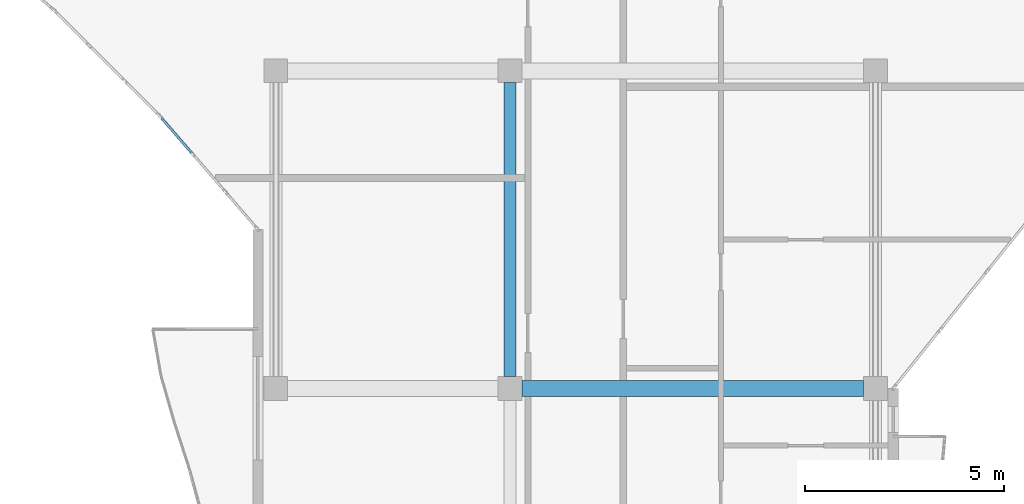
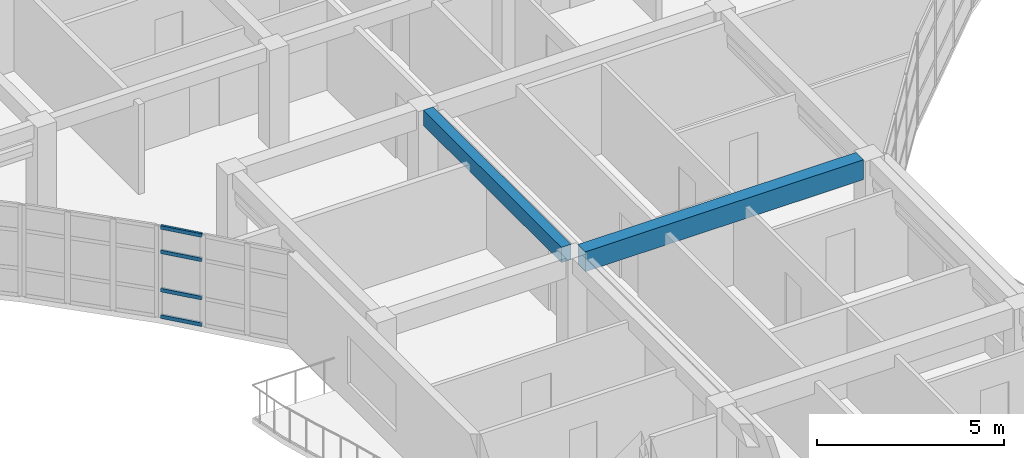
# One storey, part 13 of 76: 4 members, 2 beams, 1 element without a shape of its own.
"""IFC4 building model written with IfcOpenShell, lengths in metres."""

from ifc_helpers import new_model, si_unit, direction, frame, origin, origin_2d, place, context, subcontext, project, spatial, rectangle, hollow_rectangle, extrude, material, layer, layer_set, material_profile, profile_set, type_object, element, aggregate, save


model = new_model("IFC4")

# Units and contexts
model_context = context("Model", 3, precision=1e-05, world=origin(), true_north=direction((0.0, 1.0)))
body_context = subcontext(model_context, "Body", "Model", "MODEL_VIEW")
ifc_project = project(units=[si_unit("LENGTHUNIT", "METRE"), si_unit("AREAUNIT", "SQUARE_METRE"), si_unit("VOLUMEUNIT", "CUBIC_METRE"), si_unit("PLANEANGLEUNIT", "RADIAN"), si_unit("MASSUNIT", "GRAM", prefix="KILO")], contexts=[model_context])

# Site, building, storey
site_placement = place(None, origin())
site = spatial("IfcSite", under=ifc_project, at=site_placement, CompositionType="ELEMENT")
building_placement = place(site_placement, origin())
building = spatial("IfcBuilding", under=site, at=building_placement, Name="Keldmere Railside Commons", CompositionType="ELEMENT")
storey_placement = place(building_placement, frame((0.0, 0.0, 13.760009765625)))
storey = spatial("IfcBuildingStorey", under=building, at=storey_placement, Name="L04", CompositionType="ELEMENT", Elevation=13.760009765625)

# Beams
ifc_material_1 = material(Name="Concrete H-30 (C30/37)", Category="concrete")
ifc_material_profile_1 = material_profile(ifc_material_1, rectangle(XDim=0.39990234375, YDim=0.64990234375, at=origin_2d()), Name="RC-400x650")
ifc_profile_set_1 = profile_set([ifc_material_profile_1], Name="Concrete H-30 (C30/37)")
beam_type_1 = type_object("IfcBeamType", Name="Residential Spine RC Girder 400x650", PredefinedType="BEAM", material=ifc_profile_set_1)
beam_1_placement = place(storey_placement, frame((110.64990234375, 88.0, 2.875), z_axis=(1.0, 0.0, 0.0), x_axis=(0.0, 1.0, 0.0)))
element("IfcBeam", 1, at=beam_1_placement, inside=storey, type_object=beam_type_1, Name="BG-3 BM-L04-1543", PredefinedType="BEAM", context=body_context, shape_type="SweptSolid", body=[
    extrude(rectangle(XDim=0.39990234375, YDim=0.64990234375, at=origin_2d()), origin(), (0.0, 0.0, 1.0), 8.60009765625),
])
ifc_material_profile_2 = material_profile(ifc_material_1, rectangle(XDim=0.300048828125, YDim=0.5, at=origin_2d()), Name="RC-300x500")
ifc_profile_set_2 = profile_set([ifc_material_profile_2], Name="Concrete H-30 (C30/37)")
beam_type_2 = type_object("IfcBeamType", Name="Secondary Frame RC Beam 300x500", PredefinedType="BEAM", material=ifc_profile_set_2)
beam_2_placement = place(storey_placement, frame((110.35009765625, 88.300048828125, 2.949951171875), z_axis=(0.0, 1.0, 0.0), x_axis=(-1.0, 0.0, 0.0)))
element("IfcBeam", 2, at=beam_2_placement, inside=storey, type_object=beam_type_2, Name="BG-5 BM-L04-1655", PredefinedType="BEAM", context=body_context, shape_type="SweptSolid", body=[
    extrude(rectangle(XDim=0.300048828125, YDim=0.5, at=origin_2d()), origin(), (0.0, 0.0, 1.0), 7.39990234375),
])

# Curtain wall, members
ifc_material_2 = material(Name="Thermally Broken Aluminium", Category="aluminium")
ifc_layer = layer(ifc_material_2, 0.159912109375, Name="Court Chord Wintergarden CW 4800x2850")
ifc_layer_set = layer_set([ifc_layer], Name="Thermally Broken Aluminium")
curtain_wall_type = type_object("IfcCurtainWallType", Name="Court Chord Wintergarden CW 4800x2850", PredefinedType="NOTDEFINED", material=ifc_layer_set)
curtain_wall_placement = place(storey_placement, origin())
curtain_wall = element("IfcCurtainWall", 3, at=curtain_wall_placement, inside=storey, type_object=curtain_wall_type, Name="CW-12 CW-L04-114", PredefinedType="NOTDEFINED")
ifc_material_profile_3 = material_profile(ifc_material_2, hollow_rectangle(XDim=0.06494140625, YDim=0.1201171875, WallThickness=0.00390625, at=origin_2d()), Name="ALU-TRAN-65x120")
ifc_profile_set_3 = profile_set([ifc_material_profile_3], Name="Thermally Broken Aluminium")
member_type = type_object("IfcMemberType", Name="Unitised Curtain Wall Transom 65x120", PredefinedType="USERDEFINED", material=ifc_profile_set_3)
member_1_placement = place(storey_placement, frame((102.33203125, 93.929931640625, 0.032470703125), z_axis=(-0.653849663033, 0.756624489527, 0.0), x_axis=(-0.756624489527, -0.653849663033, 0.0)))
member_1 = element("IfcMember", 4, at=member_1_placement, type_object=member_type, Name="CW-12 transom 3.1", ObjectType="TRANSOM", PredefinedType="USERDEFINED", context=body_context, shape_type="SweptSolid", body=[
    extrude(hollow_rectangle(XDim=0.06494140625, YDim=0.1201171875, WallThickness=0.00390625, at=origin_2d()), origin(), (0.0, 0.0, 1.0), 1.16162109375),
])
member_2_placement = place(storey_placement, frame((102.33203125, 93.929931640625, 0.89990234375), z_axis=(-0.653849663033, 0.756624489527, 0.0), x_axis=(-0.756624489527, -0.653849663033, 0.0)))
member_2 = element("IfcMember", 5, at=member_2_placement, type_object=member_type, Name="CW-12 transom 3.2", ObjectType="TRANSOM", PredefinedType="USERDEFINED", context=body_context, shape_type="SweptSolid", body=[
    extrude(hollow_rectangle(XDim=0.06494140625, YDim=0.1201171875, WallThickness=0.00390625, at=origin_2d()), origin(), (0.0, 0.0, 1.0), 1.16162109375),
])
member_3_placement = place(storey_placement, frame((102.33203125, 93.929931640625, 2.14990234375), z_axis=(-0.653849663033, 0.756624489527, 0.0), x_axis=(-0.756624489527, -0.653849663033, 0.0)))
member_3 = element("IfcMember", 6, at=member_3_placement, type_object=member_type, Name="CW-12 transom 3.3", ObjectType="TRANSOM", PredefinedType="USERDEFINED", context=body_context, shape_type="SweptSolid", body=[
    extrude(hollow_rectangle(XDim=0.06494140625, YDim=0.1201171875, WallThickness=0.00390625, at=origin_2d()), origin(), (0.0, 0.0, 1.0), 1.16162109375),
])
member_4_placement = place(storey_placement, frame((102.33203125, 93.929931640625, 2.947509765625), z_axis=(-0.653849663033, 0.756624489527, 0.0), x_axis=(-0.756624489527, -0.653849663033, 0.0)))
member_4 = element("IfcMember", 7, at=member_4_placement, type_object=member_type, Name="CW-12 transom 3.4", ObjectType="TRANSOM", PredefinedType="USERDEFINED", context=body_context, shape_type="SweptSolid", body=[
    extrude(hollow_rectangle(XDim=0.06494140625, YDim=0.1201171875, WallThickness=0.00390625, at=origin_2d()), origin(), (0.0, 0.0, 1.0), 1.16162109375),
])
aggregate(curtain_wall, [member_1, member_2, member_3, member_4])

save(model, "model.ifc")
